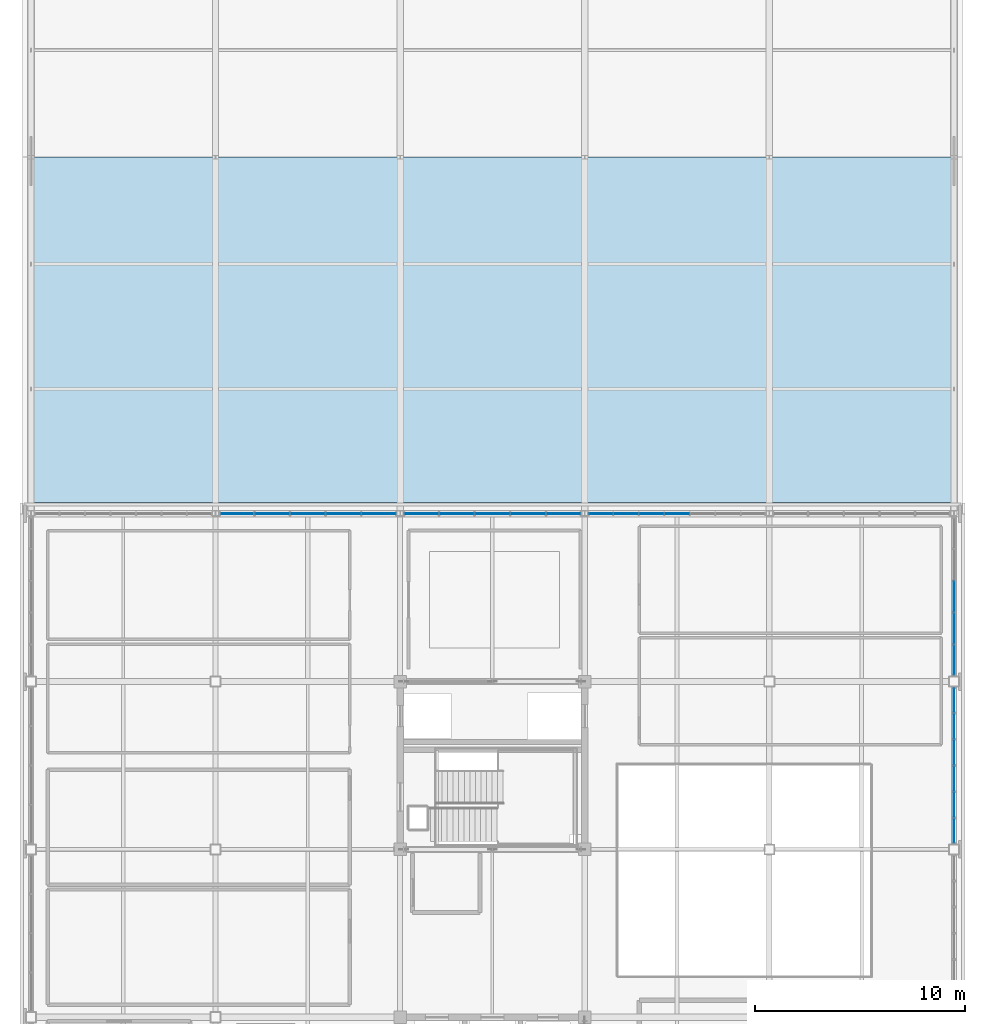
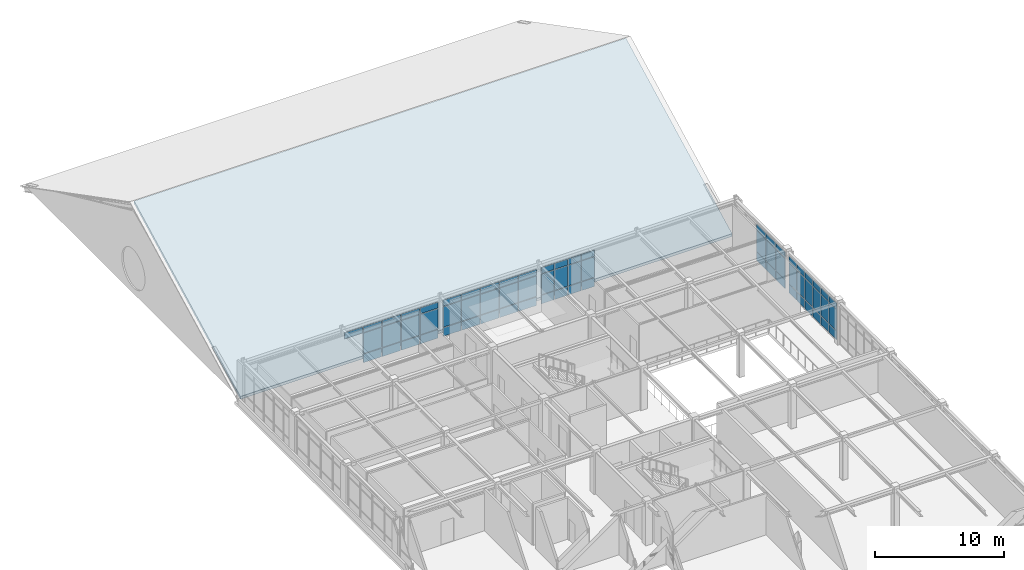
# One storey, part 25 of 45: 67 plates, 1 slab, 5 elements without a shape of their own.
"""IFC4 building model written with IfcOpenShell, lengths in metres."""

from ifc_helpers import new_model, si_unit, direction, frame, origin, origin_2d, place, context, subcontext, project, spatial, polyline, rectangle, outline, extrude, material, layer, layer_set, type_object, element, aggregate, save


model = new_model("IFC4")

# Units and contexts
model_context = context("Model", 3, precision=1e-05, world=origin(), true_north=direction((0.0, 1.0)))
body_context = subcontext(model_context, "Body", "Model", "MODEL_VIEW")
ifc_project = project(units=[si_unit("LENGTHUNIT", "METRE"), si_unit("AREAUNIT", "SQUARE_METRE"), si_unit("VOLUMEUNIT", "CUBIC_METRE"), si_unit("PLANEANGLEUNIT", "RADIAN"), si_unit("MASSUNIT", "GRAM", prefix="KILO")], contexts=[model_context])

# Site, building, storey
site_placement = place(None, origin())
site = spatial("IfcSite", under=ifc_project, at=site_placement, CompositionType="ELEMENT")
building_placement = place(site_placement, origin())
building = spatial("IfcBuilding", under=site, at=building_placement, Name="Zhaolan Boulevard Law Courts", CompositionType="ELEMENT")
storey_placement = place(building_placement, frame((0.0, 0.0, 24.60009765625)))
storey = spatial("IfcBuildingStorey", under=building, at=storey_placement, Name="L05", CompositionType="ELEMENT", Elevation=24.60009765625)

# Curtain wall, plates
ifc_material_1 = material(Name="Thermally broken aluminium and low-E glazing", Category="aluminium")
curtain_wall_type_1 = type_object("IfcCurtainWallType", Name="CURTAIN WALL M16", PredefinedType="USERDEFINED", material=ifc_material_1)
curtain_wall_1_placement = place(storey_placement, origin())
curtain_wall_1 = element("IfcCurtainWall", 1, at=curtain_wall_1_placement, inside=storey, type_object=curtain_wall_type_1, Name="Curtain Wall CW-L05-208", ObjectType="CURTAIN WALL", PredefinedType="USERDEFINED")
ifc_material_2 = material(Name="Triple-silver low-E insulated glazing", Category="glass")
ifc_layer_1 = layer(ifc_material_2, 0.028076171875)
ifc_layer_set_1 = layer_set([ifc_layer_1])
plate_type = type_object("IfcPlateType", Name="CWPANEL LOW E28", PredefinedType="CURTAIN_PANEL", material=ifc_layer_set_1)
plate_1_placement = place(storey_placement, frame((16.58203125, 78.0, 0.06494140625), z_axis=(0.0, 0.0, 1.0), x_axis=(-1.0, 0.0, 0.0)))
plate_1 = element("IfcPlate", 2, at=plate_1_placement, type_object=plate_type, Name="CW-L05-208 panel 1.1", PredefinedType="CURTAIN_PANEL", context=body_context, shape_type="SweptSolid", body=[
    extrude(rectangle(XDim=1.601806640625, YDim=0.028076171875, at=origin_2d()), origin(), (0.0, 0.0, 1.0), 0.802490234375),
])
plate_2_placement = place(storey_placement, frame((16.58203125, 78.0, 0.9326171875), z_axis=(0.0, 0.0, 1.0), x_axis=(-1.0, 0.0, 0.0)))
plate_2 = element("IfcPlate", 3, at=plate_2_placement, type_object=plate_type, Name="CW-L05-208 panel 1.2", PredefinedType="CURTAIN_PANEL", context=body_context, shape_type="SweptSolid", body=[
    extrude(rectangle(XDim=1.601806640625, YDim=0.028076171875, at=origin_2d()), origin(), (0.0, 0.0, 1.0), 1.927978515625),
])
plate_3_placement = place(storey_placement, frame((16.58203125, 78.0, 2.92529296875), z_axis=(0.0, 0.0, 1.0), x_axis=(-1.0, 0.0, 0.0)))
plate_3 = element("IfcPlate", 4, at=plate_3_placement, type_object=plate_type, Name="CW-L05-208 panel 1.3", PredefinedType="CURTAIN_PANEL", context=body_context, shape_type="SweptSolid", body=[
    extrude(rectangle(XDim=1.601806640625, YDim=0.028076171875, at=origin_2d()), origin(), (0.0, 0.0, 1.0), 0.552490234375),
])
plate_4_placement = place(storey_placement, frame((14.899169921875, 78.0, 0.06494140625), z_axis=(0.0, 0.0, 1.0), x_axis=(-1.0, 0.0, 0.0)))
plate_4 = element("IfcPlate", 5, at=plate_4_placement, type_object=plate_type, Name="CW-L05-208 panel 2.1", PredefinedType="CURTAIN_PANEL", context=body_context, shape_type="SweptSolid", body=[
    extrude(rectangle(XDim=1.63427734375, YDim=0.028076171875, at=origin_2d()), origin(), (0.0, 0.0, 1.0), 0.802490234375),
])
plate_5_placement = place(storey_placement, frame((14.899169921875, 78.0, 0.9326171875), z_axis=(0.0, 0.0, 1.0), x_axis=(-1.0, 0.0, 0.0)))
plate_5 = element("IfcPlate", 6, at=plate_5_placement, type_object=plate_type, Name="CW-L05-208 panel 2.2", PredefinedType="CURTAIN_PANEL", context=body_context, shape_type="SweptSolid", body=[
    extrude(rectangle(XDim=1.63427734375, YDim=0.028076171875, at=origin_2d()), origin(), (0.0, 0.0, 1.0), 1.927978515625),
])
plate_6_placement = place(storey_placement, frame((14.899169921875, 78.0, 2.92529296875), z_axis=(0.0, 0.0, 1.0), x_axis=(-1.0, 0.0, 0.0)))
plate_6 = element("IfcPlate", 7, at=plate_6_placement, type_object=plate_type, Name="CW-L05-208 panel 2.3", PredefinedType="CURTAIN_PANEL", context=body_context, shape_type="SweptSolid", body=[
    extrude(rectangle(XDim=1.63427734375, YDim=0.028076171875, at=origin_2d()), origin(), (0.0, 0.0, 1.0), 0.552490234375),
])
plate_7_placement = place(storey_placement, frame((13.199951171875, 78.0, 0.06494140625), z_axis=(0.0, 0.0, 1.0), x_axis=(-1.0, 0.0, 0.0)))
plate_7 = element("IfcPlate", 8, at=plate_7_placement, type_object=plate_type, Name="CW-L05-208 panel 3.1", PredefinedType="CURTAIN_PANEL", context=body_context, shape_type="SweptSolid", body=[
    extrude(rectangle(XDim=1.63427734375, YDim=0.028076171875, at=origin_2d()), origin(), (0.0, 0.0, 1.0), 0.802490234375),
])
plate_8_placement = place(storey_placement, frame((13.199951171875, 78.0, 0.9326171875), z_axis=(0.0, 0.0, 1.0), x_axis=(-1.0, 0.0, 0.0)))
plate_8 = element("IfcPlate", 9, at=plate_8_placement, type_object=plate_type, Name="CW-L05-208 panel 3.2", PredefinedType="CURTAIN_PANEL", context=body_context, shape_type="SweptSolid", body=[
    extrude(rectangle(XDim=1.63427734375, YDim=0.028076171875, at=origin_2d()), origin(), (0.0, 0.0, 1.0), 1.927978515625),
])
plate_9_placement = place(storey_placement, frame((13.199951171875, 78.0, 2.92529296875), z_axis=(0.0, 0.0, 1.0), x_axis=(-1.0, 0.0, 0.0)))
plate_9 = element("IfcPlate", 10, at=plate_9_placement, type_object=plate_type, Name="CW-L05-208 panel 3.3", PredefinedType="CURTAIN_PANEL", context=body_context, shape_type="SweptSolid", body=[
    extrude(rectangle(XDim=1.63427734375, YDim=0.028076171875, at=origin_2d()), origin(), (0.0, 0.0, 1.0), 0.552490234375),
])
plate_10_placement = place(storey_placement, frame((11.500732421875, 78.0, 0.06494140625), z_axis=(0.0, 0.0, 1.0), x_axis=(-1.0, 0.0, 0.0)))
plate_10 = element("IfcPlate", 11, at=plate_10_placement, type_object=plate_type, Name="CW-L05-208 panel 4.1", PredefinedType="CURTAIN_PANEL", context=body_context, shape_type="SweptSolid", body=[
    extrude(rectangle(XDim=1.63427734375, YDim=0.028076171875, at=origin_2d()), origin(), (0.0, 0.0, 1.0), 0.802490234375),
])
plate_11_placement = place(storey_placement, frame((11.500732421875, 78.0, 0.9326171875), z_axis=(0.0, 0.0, 1.0), x_axis=(-1.0, 0.0, 0.0)))
plate_11 = element("IfcPlate", 12, at=plate_11_placement, type_object=plate_type, Name="CW-L05-208 panel 4.2", PredefinedType="CURTAIN_PANEL", context=body_context, shape_type="SweptSolid", body=[
    extrude(rectangle(XDim=1.63427734375, YDim=0.028076171875, at=origin_2d()), origin(), (0.0, 0.0, 1.0), 1.927978515625),
])
plate_12_placement = place(storey_placement, frame((11.500732421875, 78.0, 2.92529296875), z_axis=(0.0, 0.0, 1.0), x_axis=(-1.0, 0.0, 0.0)))
plate_12 = element("IfcPlate", 13, at=plate_12_placement, type_object=plate_type, Name="CW-L05-208 panel 4.3", PredefinedType="CURTAIN_PANEL", context=body_context, shape_type="SweptSolid", body=[
    extrude(rectangle(XDim=1.63427734375, YDim=0.028076171875, at=origin_2d()), origin(), (0.0, 0.0, 1.0), 0.552490234375),
])
plate_13_placement = place(storey_placement, frame((9.81787109375, 78.0, 2.92529296875), z_axis=(0.0, 0.0, 1.0), x_axis=(-1.0, 0.0, 0.0)))
plate_13 = element("IfcPlate", 14, at=plate_13_placement, type_object=plate_type, Name="CW-L05-208 panel 5.3", PredefinedType="CURTAIN_PANEL", context=body_context, shape_type="SweptSolid", body=[
    extrude(rectangle(XDim=1.601806640625, YDim=0.028076171875, at=origin_2d()), origin(), (0.0, 0.0, 1.0), 0.552490234375),
])
aggregate(curtain_wall_1, [plate_1, plate_2, plate_3, plate_4, plate_5, plate_6, plate_7, plate_8, plate_9, plate_10, plate_11, plate_12, plate_13])

ifc_material_3 = material(Name="Thermally broken aluminium and low-E glazing", Category="aluminium")
curtain_wall_type_2 = type_object("IfcCurtainWallType", Name="CURTAIN WALL M17", PredefinedType="USERDEFINED", material=ifc_material_3)
curtain_wall_2_placement = place(storey_placement, origin())
curtain_wall_2 = element("IfcCurtainWall", 15, at=curtain_wall_2_placement, inside=storey, type_object=curtain_wall_type_2, Name="Curtain Wall CW-L05-209", ObjectType="CURTAIN WALL", PredefinedType="USERDEFINED")
plate_14_placement = place(storey_placement, frame((25.382080078125, 78.0, 0.06494140625), z_axis=(0.0, 0.0, 1.0), x_axis=(-1.0, 0.0, 0.0)))
plate_14 = element("IfcPlate", 16, at=plate_14_placement, type_object=plate_type, Name="CW-L05-209 panel 1.1", PredefinedType="CURTAIN_PANEL", context=body_context, shape_type="SweptSolid", body=[
    extrude(rectangle(XDim=1.601806640625, YDim=0.028076171875, at=origin_2d()), origin(), (0.0, 0.0, 1.0), 0.802490234375),
])
plate_15_placement = place(storey_placement, frame((25.382080078125, 78.0, 0.9326171875), z_axis=(0.0, 0.0, 1.0), x_axis=(-1.0, 0.0, 0.0)))
plate_15 = element("IfcPlate", 17, at=plate_15_placement, type_object=plate_type, Name="CW-L05-209 panel 1.2", PredefinedType="CURTAIN_PANEL", context=body_context, shape_type="SweptSolid", body=[
    extrude(rectangle(XDim=1.601806640625, YDim=0.028076171875, at=origin_2d()), origin(), (0.0, 0.0, 1.0), 1.927978515625),
])
plate_16_placement = place(storey_placement, frame((25.382080078125, 78.0, 2.92529296875), z_axis=(0.0, 0.0, 1.0), x_axis=(-1.0, 0.0, 0.0)))
plate_16 = element("IfcPlate", 18, at=plate_16_placement, type_object=plate_type, Name="CW-L05-209 panel 1.3", PredefinedType="CURTAIN_PANEL", context=body_context, shape_type="SweptSolid", body=[
    extrude(rectangle(XDim=1.601806640625, YDim=0.028076171875, at=origin_2d()), origin(), (0.0, 0.0, 1.0), 0.552490234375),
])
plate_17_placement = place(storey_placement, frame((23.69921875, 78.0, 0.06494140625), z_axis=(0.0, 0.0, 1.0), x_axis=(-1.0, 0.0, 0.0)))
plate_17 = element("IfcPlate", 19, at=plate_17_placement, type_object=plate_type, Name="CW-L05-209 panel 2.1", PredefinedType="CURTAIN_PANEL", context=body_context, shape_type="SweptSolid", body=[
    extrude(rectangle(XDim=1.63427734375, YDim=0.028076171875, at=origin_2d()), origin(), (0.0, 0.0, 1.0), 0.802490234375),
])
plate_18_placement = place(storey_placement, frame((23.69921875, 78.0, 0.9326171875), z_axis=(0.0, 0.0, 1.0), x_axis=(-1.0, 0.0, 0.0)))
plate_18 = element("IfcPlate", 20, at=plate_18_placement, type_object=plate_type, Name="CW-L05-209 panel 2.2", PredefinedType="CURTAIN_PANEL", context=body_context, shape_type="SweptSolid", body=[
    extrude(rectangle(XDim=1.63427734375, YDim=0.028076171875, at=origin_2d()), origin(), (0.0, 0.0, 1.0), 1.927978515625),
])
plate_19_placement = place(storey_placement, frame((23.69921875, 78.0, 2.92529296875), z_axis=(0.0, 0.0, 1.0), x_axis=(-1.0, 0.0, 0.0)))
plate_19 = element("IfcPlate", 21, at=plate_19_placement, type_object=plate_type, Name="CW-L05-209 panel 2.3", PredefinedType="CURTAIN_PANEL", context=body_context, shape_type="SweptSolid", body=[
    extrude(rectangle(XDim=1.63427734375, YDim=0.028076171875, at=origin_2d()), origin(), (0.0, 0.0, 1.0), 0.552490234375),
])
plate_20_placement = place(storey_placement, frame((22.0, 78.0, 0.06494140625), z_axis=(0.0, 0.0, 1.0), x_axis=(-1.0, 0.0, 0.0)))
plate_20 = element("IfcPlate", 22, at=plate_20_placement, type_object=plate_type, Name="CW-L05-209 panel 3.1", PredefinedType="CURTAIN_PANEL", context=body_context, shape_type="SweptSolid", body=[
    extrude(rectangle(XDim=1.63427734375, YDim=0.028076171875, at=origin_2d()), origin(), (0.0, 0.0, 1.0), 0.802490234375),
])
plate_21_placement = place(storey_placement, frame((22.0, 78.0, 0.9326171875), z_axis=(0.0, 0.0, 1.0), x_axis=(-1.0, 0.0, 0.0)))
plate_21 = element("IfcPlate", 23, at=plate_21_placement, type_object=plate_type, Name="CW-L05-209 panel 3.2", PredefinedType="CURTAIN_PANEL", context=body_context, shape_type="SweptSolid", body=[
    extrude(rectangle(XDim=1.63427734375, YDim=0.028076171875, at=origin_2d()), origin(), (0.0, 0.0, 1.0), 1.927978515625),
])
plate_22_placement = place(storey_placement, frame((22.0, 78.0, 2.92529296875), z_axis=(0.0, 0.0, 1.0), x_axis=(-1.0, 0.0, 0.0)))
plate_22 = element("IfcPlate", 24, at=plate_22_placement, type_object=plate_type, Name="CW-L05-209 panel 3.3", PredefinedType="CURTAIN_PANEL", context=body_context, shape_type="SweptSolid", body=[
    extrude(rectangle(XDim=1.63427734375, YDim=0.028076171875, at=origin_2d()), origin(), (0.0, 0.0, 1.0), 0.552490234375),
])
plate_23_placement = place(storey_placement, frame((20.30078125, 78.0, 0.06494140625), z_axis=(0.0, 0.0, 1.0), x_axis=(-1.0, 0.0, 0.0)))
plate_23 = element("IfcPlate", 25, at=plate_23_placement, type_object=plate_type, Name="CW-L05-209 panel 4.1", PredefinedType="CURTAIN_PANEL", context=body_context, shape_type="SweptSolid", body=[
    extrude(rectangle(XDim=1.63427734375, YDim=0.028076171875, at=origin_2d()), origin(), (0.0, 0.0, 1.0), 0.802490234375),
])
plate_24_placement = place(storey_placement, frame((20.30078125, 78.0, 0.9326171875), z_axis=(0.0, 0.0, 1.0), x_axis=(-1.0, 0.0, 0.0)))
plate_24 = element("IfcPlate", 26, at=plate_24_placement, type_object=plate_type, Name="CW-L05-209 panel 4.2", PredefinedType="CURTAIN_PANEL", context=body_context, shape_type="SweptSolid", body=[
    extrude(rectangle(XDim=1.63427734375, YDim=0.028076171875, at=origin_2d()), origin(), (0.0, 0.0, 1.0), 1.927978515625),
])
plate_25_placement = place(storey_placement, frame((20.30078125, 78.0, 2.92529296875), z_axis=(0.0, 0.0, 1.0), x_axis=(-1.0, 0.0, 0.0)))
plate_25 = element("IfcPlate", 27, at=plate_25_placement, type_object=plate_type, Name="CW-L05-209 panel 4.3", PredefinedType="CURTAIN_PANEL", context=body_context, shape_type="SweptSolid", body=[
    extrude(rectangle(XDim=1.63427734375, YDim=0.028076171875, at=origin_2d()), origin(), (0.0, 0.0, 1.0), 0.552490234375),
])
plate_26_placement = place(storey_placement, frame((18.617919921875, 78.0, 0.06494140625), z_axis=(0.0, 0.0, 1.0), x_axis=(-1.0, 0.0, 0.0)))
plate_26 = element("IfcPlate", 28, at=plate_26_placement, type_object=plate_type, Name="CW-L05-209 panel 5.1", PredefinedType="CURTAIN_PANEL", context=body_context, shape_type="SweptSolid", body=[
    extrude(rectangle(XDim=1.601806640625, YDim=0.028076171875, at=origin_2d()), origin(), (0.0, 0.0, 1.0), 0.802490234375),
])
plate_27_placement = place(storey_placement, frame((18.617919921875, 78.0, 0.9326171875), z_axis=(0.0, 0.0, 1.0), x_axis=(-1.0, 0.0, 0.0)))
plate_27 = element("IfcPlate", 29, at=plate_27_placement, type_object=plate_type, Name="CW-L05-209 panel 5.2", PredefinedType="CURTAIN_PANEL", context=body_context, shape_type="SweptSolid", body=[
    extrude(rectangle(XDim=1.601806640625, YDim=0.028076171875, at=origin_2d()), origin(), (0.0, 0.0, 1.0), 1.927978515625),
])
plate_28_placement = place(storey_placement, frame((18.617919921875, 78.0, 2.92529296875), z_axis=(0.0, 0.0, 1.0), x_axis=(-1.0, 0.0, 0.0)))
plate_28 = element("IfcPlate", 30, at=plate_28_placement, type_object=plate_type, Name="CW-L05-209 panel 5.3", PredefinedType="CURTAIN_PANEL", context=body_context, shape_type="SweptSolid", body=[
    extrude(rectangle(XDim=1.601806640625, YDim=0.028076171875, at=origin_2d()), origin(), (0.0, 0.0, 1.0), 0.552490234375),
])
aggregate(curtain_wall_2, [plate_14, plate_15, plate_16, plate_17, plate_18, plate_19, plate_20, plate_21, plate_22, plate_23, plate_24, plate_25, plate_26, plate_27, plate_28])

ifc_material_4 = material(Name="Thermally broken aluminium and low-E glazing", Category="aluminium")
curtain_wall_type_3 = type_object("IfcCurtainWallType", Name="CURTAIN WALL M18", PredefinedType="USERDEFINED", material=ifc_material_4)
curtain_wall_3_placement = place(storey_placement, origin())
curtain_wall_3 = element("IfcCurtainWall", 31, at=curtain_wall_3_placement, inside=storey, type_object=curtain_wall_type_3, Name="Curtain Wall CW-L05-210", ObjectType="CURTAIN WALL", PredefinedType="USERDEFINED")
plate_29_placement = place(storey_placement, frame((30.800048828125, 78.0, 0.059814453125), z_axis=(0.0, 0.0, 1.0), x_axis=(-1.0, 0.0, 0.0)))
plate_29 = element("IfcPlate", 32, at=plate_29_placement, type_object=plate_type, Name="CW-L05-210 panel 4.1", PredefinedType="CURTAIN_PANEL", context=body_context, shape_type="SweptSolid", body=[
    extrude(rectangle(XDim=1.15380859375, YDim=0.028076171875, at=origin_2d()), origin(), (0.0, 0.0, 1.0), 0.81005859375),
])
plate_30_placement = place(storey_placement, frame((30.800048828125, 78.0, 0.929931640625), z_axis=(0.0, 0.0, 1.0), x_axis=(-1.0, 0.0, 0.0)))
plate_30 = element("IfcPlate", 33, at=plate_30_placement, type_object=plate_type, Name="CW-L05-210 panel 4.2", PredefinedType="CURTAIN_PANEL", context=body_context, shape_type="SweptSolid", body=[
    extrude(rectangle(XDim=1.15380859375, YDim=0.028076171875, at=origin_2d()), origin(), (0.0, 0.0, 1.0), 1.93310546875),
])
plate_31_placement = place(storey_placement, frame((30.800048828125, 78.0, 2.9228515625), z_axis=(0.0, 0.0, 1.0), x_axis=(-1.0, 0.0, 0.0)))
plate_31 = element("IfcPlate", 34, at=plate_31_placement, type_object=plate_type, Name="CW-L05-210 panel 4.3", PredefinedType="CURTAIN_PANEL", context=body_context, shape_type="SweptSolid", body=[
    extrude(rectangle(XDim=1.15380859375, YDim=0.028076171875, at=origin_2d()), origin(), (0.0, 0.0, 1.0), 0.56005859375),
])
plate_32_placement = place(storey_placement, frame((29.586181640625, 78.0, 0.059814453125), z_axis=(0.0, 0.0, 1.0), x_axis=(-1.0, 0.0, 0.0)))
plate_32 = element("IfcPlate", 35, at=plate_32_placement, type_object=plate_type, Name="CW-L05-210 panel 5.1", PredefinedType="CURTAIN_PANEL", context=body_context, shape_type="SweptSolid", body=[
    extrude(rectangle(XDim=1.15380859375, YDim=0.028076171875, at=origin_2d()), origin(), (0.0, 0.0, 1.0), 0.81005859375),
])
plate_33_placement = place(storey_placement, frame((29.586181640625, 78.0, 0.929931640625), z_axis=(0.0, 0.0, 1.0), x_axis=(-1.0, 0.0, 0.0)))
plate_33 = element("IfcPlate", 36, at=plate_33_placement, type_object=plate_type, Name="CW-L05-210 panel 5.2", PredefinedType="CURTAIN_PANEL", context=body_context, shape_type="SweptSolid", body=[
    extrude(rectangle(XDim=1.15380859375, YDim=0.028076171875, at=origin_2d()), origin(), (0.0, 0.0, 1.0), 1.93310546875),
])
plate_34_placement = place(storey_placement, frame((29.586181640625, 78.0, 2.9228515625), z_axis=(0.0, 0.0, 1.0), x_axis=(-1.0, 0.0, 0.0)))
plate_34 = element("IfcPlate", 37, at=plate_34_placement, type_object=plate_type, Name="CW-L05-210 panel 5.3", PredefinedType="CURTAIN_PANEL", context=body_context, shape_type="SweptSolid", body=[
    extrude(rectangle(XDim=1.15380859375, YDim=0.028076171875, at=origin_2d()), origin(), (0.0, 0.0, 1.0), 0.56005859375),
])
plate_35_placement = place(storey_placement, frame((28.37255859375, 78.0, 0.059814453125), z_axis=(0.0, 0.0, 1.0), x_axis=(-1.0, 0.0, 0.0)))
plate_35 = element("IfcPlate", 38, at=plate_35_placement, type_object=plate_type, Name="CW-L05-210 panel 6.1", PredefinedType="CURTAIN_PANEL", context=body_context, shape_type="SweptSolid", body=[
    extrude(rectangle(XDim=1.15380859375, YDim=0.028076171875, at=origin_2d()), origin(), (0.0, 0.0, 1.0), 0.81005859375),
])
plate_36_placement = place(storey_placement, frame((28.37255859375, 78.0, 0.929931640625), z_axis=(0.0, 0.0, 1.0), x_axis=(-1.0, 0.0, 0.0)))
plate_36 = element("IfcPlate", 39, at=plate_36_placement, type_object=plate_type, Name="CW-L05-210 panel 6.2", PredefinedType="CURTAIN_PANEL", context=body_context, shape_type="SweptSolid", body=[
    extrude(rectangle(XDim=1.15380859375, YDim=0.028076171875, at=origin_2d()), origin(), (0.0, 0.0, 1.0), 1.93310546875),
])
plate_37_placement = place(storey_placement, frame((28.37255859375, 78.0, 2.9228515625), z_axis=(0.0, 0.0, 1.0), x_axis=(-1.0, 0.0, 0.0)))
plate_37 = element("IfcPlate", 40, at=plate_37_placement, type_object=plate_type, Name="CW-L05-210 panel 6.3", PredefinedType="CURTAIN_PANEL", context=body_context, shape_type="SweptSolid", body=[
    extrude(rectangle(XDim=1.15380859375, YDim=0.028076171875, at=origin_2d()), origin(), (0.0, 0.0, 1.0), 0.56005859375),
])
plate_38_placement = place(storey_placement, frame((27.173828125, 78.0, 0.059814453125), z_axis=(0.0, 0.0, 1.0), x_axis=(-1.0, 0.0, 0.0)))
plate_38 = element("IfcPlate", 41, at=plate_38_placement, type_object=plate_type, Name="CW-L05-210 panel 7.1", PredefinedType="CURTAIN_PANEL", context=body_context, shape_type="SweptSolid", body=[
    extrude(rectangle(XDim=1.123779296875, YDim=0.028076171875, at=origin_2d()), origin(), (0.0, 0.0, 1.0), 0.81005859375),
])
plate_39_placement = place(storey_placement, frame((27.173828125, 78.0, 0.929931640625), z_axis=(0.0, 0.0, 1.0), x_axis=(-1.0, 0.0, 0.0)))
plate_39 = element("IfcPlate", 42, at=plate_39_placement, type_object=plate_type, Name="CW-L05-210 panel 7.2", PredefinedType="CURTAIN_PANEL", context=body_context, shape_type="SweptSolid", body=[
    extrude(rectangle(XDim=1.123779296875, YDim=0.028076171875, at=origin_2d()), origin(), (0.0, 0.0, 1.0), 1.93310546875),
])
plate_40_placement = place(storey_placement, frame((27.173828125, 78.0, 2.9228515625), z_axis=(0.0, 0.0, 1.0), x_axis=(-1.0, 0.0, 0.0)))
plate_40 = element("IfcPlate", 43, at=plate_40_placement, type_object=plate_type, Name="CW-L05-210 panel 7.3", PredefinedType="CURTAIN_PANEL", context=body_context, shape_type="SweptSolid", body=[
    extrude(rectangle(XDim=1.123779296875, YDim=0.028076171875, at=origin_2d()), origin(), (0.0, 0.0, 1.0), 0.56005859375),
])
aggregate(curtain_wall_3, [plate_29, plate_30, plate_31, plate_32, plate_33, plate_34, plate_35, plate_36, plate_37, plate_38, plate_39, plate_40])

ifc_material_5 = material(Name="Thermally broken aluminium and low-E glazing", Category="aluminium")
curtain_wall_type_4 = type_object("IfcCurtainWallType", Name="CURTAIN WALL M6", PredefinedType="USERDEFINED", material=ifc_material_5)
curtain_wall_4_placement = place(storey_placement, origin())
curtain_wall_4 = element("IfcCurtainWall", 44, at=curtain_wall_4_placement, inside=storey, type_object=curtain_wall_type_4, Name="Curtain Wall CW-L05-222", ObjectType="CURTAIN WALL", PredefinedType="USERDEFINED")
plate_41_placement = place(storey_placement, frame((44.0, 62.8916015625, 0.059814453125), z_axis=(0.0, 0.0, 1.0), x_axis=(0.0, 1.0, 0.0)))
plate_41 = element("IfcPlate", 45, at=plate_41_placement, type_object=plate_type, Name="CW-L05-222 panel 1.1", PredefinedType="CURTAIN_PANEL", context=body_context, shape_type="SweptSolid", body=[
    extrude(rectangle(XDim=1.159423828125, YDim=0.028076171875, at=origin_2d()), origin(), (0.0, 0.0, 1.0), 0.81005859375),
])
plate_42_placement = place(storey_placement, frame((44.0, 62.8916015625, 0.929931640625), z_axis=(0.0, 0.0, 1.0), x_axis=(0.0, 1.0, 0.0)))
plate_42 = element("IfcPlate", 46, at=plate_42_placement, type_object=plate_type, Name="CW-L05-222 panel 1.2", PredefinedType="CURTAIN_PANEL", context=body_context, shape_type="SweptSolid", body=[
    extrude(rectangle(XDim=1.159423828125, YDim=0.028076171875, at=origin_2d()), origin(), (0.0, 0.0, 1.0), 1.98291015625),
])
plate_43_placement = place(storey_placement, frame((44.0, 62.8916015625, 2.972900390625), z_axis=(0.0, 0.0, 1.0), x_axis=(0.0, 1.0, 0.0)))
plate_43 = element("IfcPlate", 47, at=plate_43_placement, type_object=plate_type, Name="CW-L05-222 panel 1.3", PredefinedType="CURTAIN_PANEL", context=body_context, shape_type="SweptSolid", body=[
    extrude(rectangle(XDim=1.159423828125, YDim=0.028076171875, at=origin_2d()), origin(), (0.0, 0.0, 1.0), 0.56005859375),
])
plate_44_placement = place(storey_placement, frame((44.0, 64.1259765625, 0.059814453125), z_axis=(0.0, 0.0, 1.0), x_axis=(0.0, 1.0, 0.0)))
plate_44 = element("IfcPlate", 48, at=plate_44_placement, type_object=plate_type, Name="CW-L05-222 panel 2.1", PredefinedType="CURTAIN_PANEL", context=body_context, shape_type="SweptSolid", body=[
    extrude(rectangle(XDim=1.189453125, YDim=0.028076171875, at=origin_2d()), origin(), (0.0, 0.0, 1.0), 0.81005859375),
])
plate_45_placement = place(storey_placement, frame((44.0, 64.1259765625, 0.929931640625), z_axis=(0.0, 0.0, 1.0), x_axis=(0.0, 1.0, 0.0)))
plate_45 = element("IfcPlate", 49, at=plate_45_placement, type_object=plate_type, Name="CW-L05-222 panel 2.2", PredefinedType="CURTAIN_PANEL", context=body_context, shape_type="SweptSolid", body=[
    extrude(rectangle(XDim=1.189453125, YDim=0.028076171875, at=origin_2d()), origin(), (0.0, 0.0, 1.0), 1.98291015625),
])
plate_46_placement = place(storey_placement, frame((44.0, 64.1259765625, 2.972900390625), z_axis=(0.0, 0.0, 1.0), x_axis=(0.0, 1.0, 0.0)))
plate_46 = element("IfcPlate", 50, at=plate_46_placement, type_object=plate_type, Name="CW-L05-222 panel 2.3", PredefinedType="CURTAIN_PANEL", context=body_context, shape_type="SweptSolid", body=[
    extrude(rectangle(XDim=1.189453125, YDim=0.028076171875, at=origin_2d()), origin(), (0.0, 0.0, 1.0), 0.56005859375),
])
plate_47_placement = place(storey_placement, frame((44.0, 65.375244140625, 0.059814453125), z_axis=(0.0, 0.0, 1.0), x_axis=(0.0, 1.0, 0.0)))
plate_47 = element("IfcPlate", 51, at=plate_47_placement, type_object=plate_type, Name="CW-L05-222 panel 3.1", PredefinedType="CURTAIN_PANEL", context=body_context, shape_type="SweptSolid", body=[
    extrude(rectangle(XDim=1.189453125, YDim=0.028076171875, at=origin_2d()), origin(), (0.0, 0.0, 1.0), 0.81005859375),
])
plate_48_placement = place(storey_placement, frame((44.0, 65.375244140625, 0.929931640625), z_axis=(0.0, 0.0, 1.0), x_axis=(0.0, 1.0, 0.0)))
plate_48 = element("IfcPlate", 52, at=plate_48_placement, type_object=plate_type, Name="CW-L05-222 panel 3.2", PredefinedType="CURTAIN_PANEL", context=body_context, shape_type="SweptSolid", body=[
    extrude(rectangle(XDim=1.189453125, YDim=0.028076171875, at=origin_2d()), origin(), (0.0, 0.0, 1.0), 1.98291015625),
])
plate_49_placement = place(storey_placement, frame((44.0, 65.375244140625, 2.972900390625), z_axis=(0.0, 0.0, 1.0), x_axis=(0.0, 1.0, 0.0)))
plate_49 = element("IfcPlate", 53, at=plate_49_placement, type_object=plate_type, Name="CW-L05-222 panel 3.3", PredefinedType="CURTAIN_PANEL", context=body_context, shape_type="SweptSolid", body=[
    extrude(rectangle(XDim=1.189453125, YDim=0.028076171875, at=origin_2d()), origin(), (0.0, 0.0, 1.0), 0.56005859375),
])
plate_50_placement = place(storey_placement, frame((44.0, 66.624755859375, 0.059814453125), z_axis=(0.0, 0.0, 1.0), x_axis=(0.0, 1.0, 0.0)))
plate_50 = element("IfcPlate", 54, at=plate_50_placement, type_object=plate_type, Name="CW-L05-222 panel 4.1", PredefinedType="CURTAIN_PANEL", context=body_context, shape_type="SweptSolid", body=[
    extrude(rectangle(XDim=1.189453125, YDim=0.028076171875, at=origin_2d()), origin(), (0.0, 0.0, 1.0), 0.81005859375),
])
plate_51_placement = place(storey_placement, frame((44.0, 66.624755859375, 0.929931640625), z_axis=(0.0, 0.0, 1.0), x_axis=(0.0, 1.0, 0.0)))
plate_51 = element("IfcPlate", 55, at=plate_51_placement, type_object=plate_type, Name="CW-L05-222 panel 4.2", PredefinedType="CURTAIN_PANEL", context=body_context, shape_type="SweptSolid", body=[
    extrude(rectangle(XDim=1.189453125, YDim=0.028076171875, at=origin_2d()), origin(), (0.0, 0.0, 1.0), 1.98291015625),
])
plate_52_placement = place(storey_placement, frame((44.0, 66.624755859375, 2.972900390625), z_axis=(0.0, 0.0, 1.0), x_axis=(0.0, 1.0, 0.0)))
plate_52 = element("IfcPlate", 56, at=plate_52_placement, type_object=plate_type, Name="CW-L05-222 panel 4.3", PredefinedType="CURTAIN_PANEL", context=body_context, shape_type="SweptSolid", body=[
    extrude(rectangle(XDim=1.189453125, YDim=0.028076171875, at=origin_2d()), origin(), (0.0, 0.0, 1.0), 0.56005859375),
])
plate_53_placement = place(storey_placement, frame((44.0, 67.8740234375, 0.059814453125), z_axis=(0.0, 0.0, 1.0), x_axis=(0.0, 1.0, 0.0)))
plate_53 = element("IfcPlate", 57, at=plate_53_placement, type_object=plate_type, Name="CW-L05-222 panel 5.1", PredefinedType="CURTAIN_PANEL", context=body_context, shape_type="SweptSolid", body=[
    extrude(rectangle(XDim=1.189453125, YDim=0.028076171875, at=origin_2d()), origin(), (0.0, 0.0, 1.0), 0.81005859375),
])
plate_54_placement = place(storey_placement, frame((44.0, 67.8740234375, 0.929931640625), z_axis=(0.0, 0.0, 1.0), x_axis=(0.0, 1.0, 0.0)))
plate_54 = element("IfcPlate", 58, at=plate_54_placement, type_object=plate_type, Name="CW-L05-222 panel 5.2", PredefinedType="CURTAIN_PANEL", context=body_context, shape_type="SweptSolid", body=[
    extrude(rectangle(XDim=1.189453125, YDim=0.028076171875, at=origin_2d()), origin(), (0.0, 0.0, 1.0), 1.98291015625),
])
plate_55_placement = place(storey_placement, frame((44.0, 67.8740234375, 2.972900390625), z_axis=(0.0, 0.0, 1.0), x_axis=(0.0, 1.0, 0.0)))
plate_55 = element("IfcPlate", 59, at=plate_55_placement, type_object=plate_type, Name="CW-L05-222 panel 5.3", PredefinedType="CURTAIN_PANEL", context=body_context, shape_type="SweptSolid", body=[
    extrude(rectangle(XDim=1.189453125, YDim=0.028076171875, at=origin_2d()), origin(), (0.0, 0.0, 1.0), 0.56005859375),
])
plate_56_placement = place(storey_placement, frame((44.0, 69.1083984375, 0.059814453125), z_axis=(0.0, 0.0, 1.0), x_axis=(0.0, 1.0, 0.0)))
plate_56 = element("IfcPlate", 60, at=plate_56_placement, type_object=plate_type, Name="CW-L05-222 panel 6.1", PredefinedType="CURTAIN_PANEL", context=body_context, shape_type="SweptSolid", body=[
    extrude(rectangle(XDim=1.159423828125, YDim=0.028076171875, at=origin_2d()), origin(), (0.0, 0.0, 1.0), 0.81005859375),
])
plate_57_placement = place(storey_placement, frame((44.0, 69.1083984375, 0.929931640625), z_axis=(0.0, 0.0, 1.0), x_axis=(0.0, 1.0, 0.0)))
plate_57 = element("IfcPlate", 61, at=plate_57_placement, type_object=plate_type, Name="CW-L05-222 panel 6.2", PredefinedType="CURTAIN_PANEL", context=body_context, shape_type="SweptSolid", body=[
    extrude(rectangle(XDim=1.159423828125, YDim=0.028076171875, at=origin_2d()), origin(), (0.0, 0.0, 1.0), 1.98291015625),
])
plate_58_placement = place(storey_placement, frame((44.0, 69.1083984375, 2.972900390625), z_axis=(0.0, 0.0, 1.0), x_axis=(0.0, 1.0, 0.0)))
plate_58 = element("IfcPlate", 62, at=plate_58_placement, type_object=plate_type, Name="CW-L05-222 panel 6.3", PredefinedType="CURTAIN_PANEL", context=body_context, shape_type="SweptSolid", body=[
    extrude(rectangle(XDim=1.159423828125, YDim=0.028076171875, at=origin_2d()), origin(), (0.0, 0.0, 1.0), 0.56005859375),
])
aggregate(curtain_wall_4, [plate_41, plate_42, plate_43, plate_44, plate_45, plate_46, plate_47, plate_48, plate_49, plate_50, plate_51, plate_52, plate_53, plate_54, plate_55, plate_56, plate_57, plate_58])

ifc_material_6 = material(Name="Thermally broken aluminium and low-E glazing", Category="aluminium")
curtain_wall_type_5 = type_object("IfcCurtainWallType", Name="CURTAIN WALL M7", PredefinedType="USERDEFINED", material=ifc_material_6)
curtain_wall_5_placement = place(storey_placement, origin())
curtain_wall_5 = element("IfcCurtainWall", 63, at=curtain_wall_5_placement, inside=storey, type_object=curtain_wall_type_5, Name="Curtain Wall CW-L05-223", ObjectType="CURTAIN WALL", PredefinedType="USERDEFINED")
plate_59_placement = place(storey_placement, frame((44.0, 71.02783203125, 0.06494140625), z_axis=(0.0, 0.0, 1.0), x_axis=(0.0, 1.0, 0.0)))
plate_59 = element("IfcPlate", 64, at=plate_59_placement, type_object=plate_type, Name="CW-L05-223 panel 1.1", PredefinedType="CURTAIN_PANEL", context=body_context, shape_type="SweptSolid", body=[
    extrude(rectangle(XDim=1.421630859375, YDim=0.028076171875, at=origin_2d()), origin(), (0.0, 0.0, 1.0), 0.802490234375),
])
plate_60_placement = place(storey_placement, frame((44.0, 71.02783203125, 0.932373046875), z_axis=(0.0, 0.0, 1.0), x_axis=(0.0, 1.0, 0.0)))
plate_60 = element("IfcPlate", 65, at=plate_60_placement, type_object=plate_type, Name="CW-L05-223 panel 1.2", PredefinedType="CURTAIN_PANEL", context=body_context, shape_type="SweptSolid", body=[
    extrude(rectangle(XDim=1.421630859375, YDim=0.028076171875, at=origin_2d()), origin(), (0.0, 0.0, 1.0), 1.97802734375),
])
plate_61_placement = place(storey_placement, frame((44.0, 71.02783203125, 2.9755859375), z_axis=(0.0, 0.0, 1.0), x_axis=(0.0, 1.0, 0.0)))
plate_61 = element("IfcPlate", 66, at=plate_61_placement, type_object=plate_type, Name="CW-L05-223 panel 1.3", PredefinedType="CURTAIN_PANEL", context=body_context, shape_type="SweptSolid", body=[
    extrude(rectangle(XDim=1.421630859375, YDim=0.028076171875, at=origin_2d()), origin(), (0.0, 0.0, 1.0), 0.552490234375),
])
plate_62_placement = place(storey_placement, frame((44.0, 72.53076171875, 0.06494140625), z_axis=(0.0, 0.0, 1.0), x_axis=(0.0, 1.0, 0.0)))
plate_62 = element("IfcPlate", 67, at=plate_62_placement, type_object=plate_type, Name="CW-L05-223 panel 2.1", PredefinedType="CURTAIN_PANEL", context=body_context, shape_type="SweptSolid", body=[
    extrude(rectangle(XDim=1.4541015625, YDim=0.028076171875, at=origin_2d()), origin(), (0.0, 0.0, 1.0), 0.802490234375),
])
plate_63_placement = place(storey_placement, frame((44.0, 72.53076171875, 0.932373046875), z_axis=(0.0, 0.0, 1.0), x_axis=(0.0, 1.0, 0.0)))
plate_63 = element("IfcPlate", 68, at=plate_63_placement, type_object=plate_type, Name="CW-L05-223 panel 2.2", PredefinedType="CURTAIN_PANEL", context=body_context, shape_type="SweptSolid", body=[
    extrude(rectangle(XDim=1.4541015625, YDim=0.028076171875, at=origin_2d()), origin(), (0.0, 0.0, 1.0), 1.97802734375),
])
plate_64_placement = place(storey_placement, frame((44.0, 72.53076171875, 2.9755859375), z_axis=(0.0, 0.0, 1.0), x_axis=(0.0, 1.0, 0.0)))
plate_64 = element("IfcPlate", 69, at=plate_64_placement, type_object=plate_type, Name="CW-L05-223 panel 2.3", PredefinedType="CURTAIN_PANEL", context=body_context, shape_type="SweptSolid", body=[
    extrude(rectangle(XDim=1.4541015625, YDim=0.028076171875, at=origin_2d()), origin(), (0.0, 0.0, 1.0), 0.552490234375),
])
plate_65_placement = place(storey_placement, frame((44.0, 74.050048828125, 0.06494140625), z_axis=(0.0, 0.0, 1.0), x_axis=(0.0, 1.0, 0.0)))
plate_65 = element("IfcPlate", 70, at=plate_65_placement, type_object=plate_type, Name="CW-L05-223 panel 3.1", PredefinedType="CURTAIN_PANEL", context=body_context, shape_type="SweptSolid", body=[
    extrude(rectangle(XDim=1.4541015625, YDim=0.028076171875, at=origin_2d()), origin(), (0.0, 0.0, 1.0), 0.802490234375),
])
plate_66_placement = place(storey_placement, frame((44.0, 74.050048828125, 0.932373046875), z_axis=(0.0, 0.0, 1.0), x_axis=(0.0, 1.0, 0.0)))
plate_66 = element("IfcPlate", 71, at=plate_66_placement, type_object=plate_type, Name="CW-L05-223 panel 3.2", PredefinedType="CURTAIN_PANEL", context=body_context, shape_type="SweptSolid", body=[
    extrude(rectangle(XDim=1.4541015625, YDim=0.028076171875, at=origin_2d()), origin(), (0.0, 0.0, 1.0), 1.97802734375),
])
plate_67_placement = place(storey_placement, frame((44.0, 74.050048828125, 2.9755859375), z_axis=(0.0, 0.0, 1.0), x_axis=(0.0, 1.0, 0.0)))
plate_67 = element("IfcPlate", 72, at=plate_67_placement, type_object=plate_type, Name="CW-L05-223 panel 3.3", PredefinedType="CURTAIN_PANEL", context=body_context, shape_type="SweptSolid", body=[
    extrude(rectangle(XDim=1.4541015625, YDim=0.028076171875, at=origin_2d()), origin(), (0.0, 0.0, 1.0), 0.552490234375),
])
aggregate(curtain_wall_5, [plate_59, plate_60, plate_61, plate_62, plate_63, plate_64, plate_65, plate_66, plate_67])

# Slab
ifc_material_7 = material(Name="Concrete C40", Category="concrete")
ifc_layer_2 = layer(ifc_material_7, 0.22998046875)
ifc_layer_set_2 = layer_set([ifc_layer_2])
slab_type = type_object("IfcSlabType", Name="LIBRARY ROOF SLAB 230", PredefinedType="ROOF", material=ifc_layer_set_2)
slab_placement = place(storey_placement, frame((0.0, 78.5400390625, 0.27978515625), z_axis=(1.0, 0.0, 0.0), x_axis=(0.0, 1.0, 0.0)))
element("IfcSlab", 73, at=slab_placement, inside=storey, type_object=slab_type, Name="Law Library Gable Roof South Pitch", PredefinedType="ROOF", context=body_context, shape_type="SweptSolid", body=[
    extrude(outline(polyline([(0.0, 0.0), (16.4599609375, 8.52001953125), (16.4599609375, 8.260986328125), (0.0, -0.259033203125), (0.0, 0.0)])), origin(), (0.0, 0.0, 1.0), 44.0),
])

save(model, "model.ifc")
